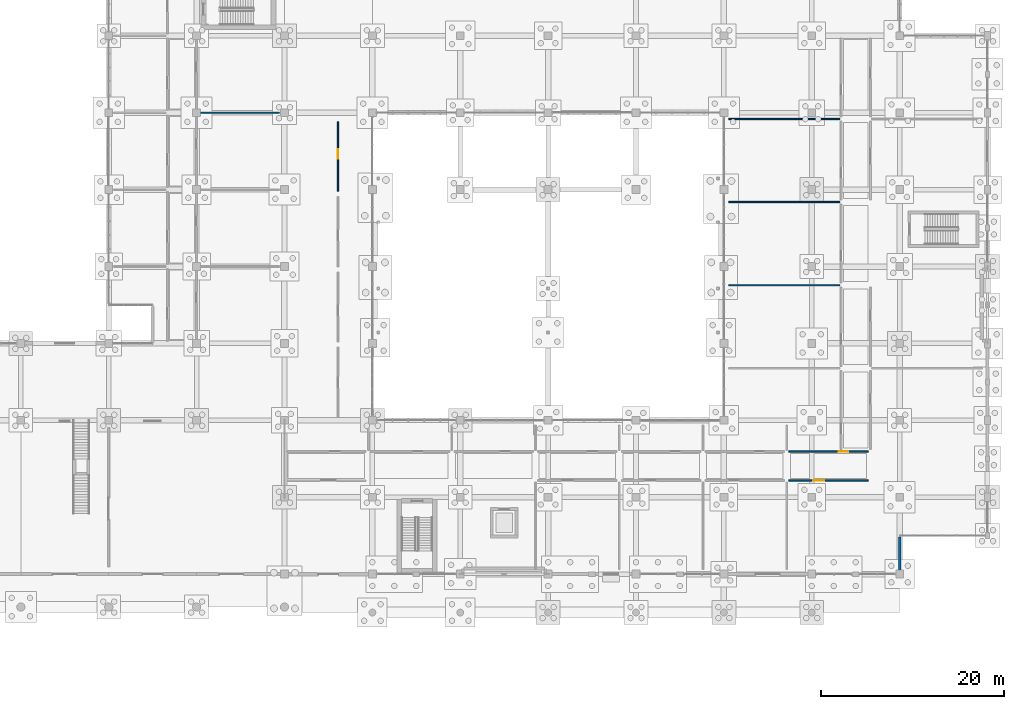
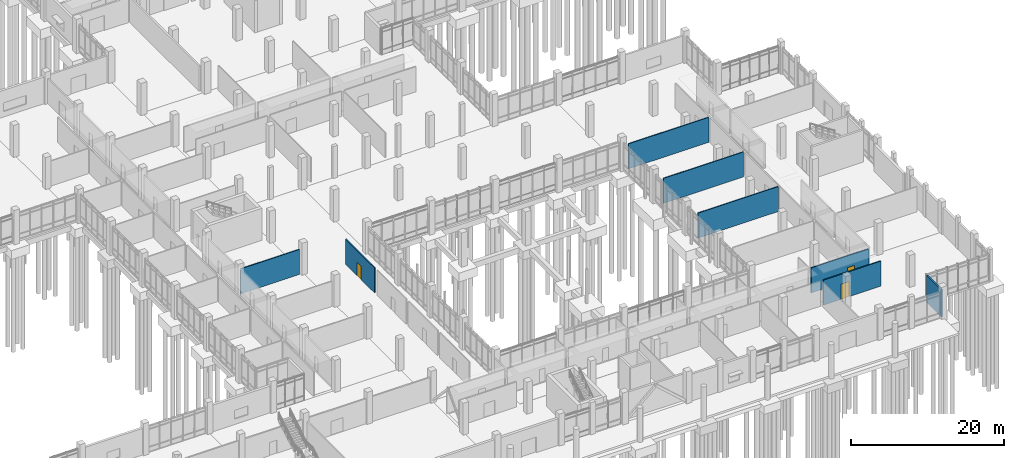
# One storey, part 113 of 136: 8 walls, 3 doors, 3 openings.
"""IFC4 building model written with IfcOpenShell, lengths in metres."""

from ifc_helpers import new_model, si_unit, direction, frame, frame_2d, origin, place, context, subcontext, project, spatial, rectangle, extrude, material, layer, layer_set, type_object, element, fill, save


model = new_model("IFC4")

# Units and contexts
model_context = context("Model", 3, precision=1e-05, world=origin(), true_north=direction((0.0, 1.0)))
body_context = subcontext(model_context, "Body", "Model", "MODEL_VIEW")
ifc_project = project(units=[si_unit("LENGTHUNIT", "METRE"), si_unit("AREAUNIT", "SQUARE_METRE"), si_unit("VOLUMEUNIT", "CUBIC_METRE"), si_unit("PLANEANGLEUNIT", "RADIAN"), si_unit("MASSUNIT", "GRAM", prefix="KILO")], contexts=[model_context])

# Site, building, storey
site_placement = place(None, origin())
site = spatial("IfcSite", under=ifc_project, at=site_placement, CompositionType="ELEMENT")
building_placement = place(site_placement, origin())
building = spatial("IfcBuilding", under=site, at=building_placement, Name="Oolite Switchyard Hospital", CompositionType="ELEMENT")
storey_placement = place(building_placement, origin())
storey = spatial("IfcBuildingStorey", under=building, at=storey_placement, Name="L00", CompositionType="ELEMENT", Elevation=0.0)

# Walls
ifc_material_1 = material(Name="Precast oolitic limestone architectural concrete C40/50", Category="masonry")
ifc_layer_1 = layer(ifc_material_1, 0.260009765625)
ifc_layer_set_1 = layer_set([ifc_layer_1], Name="WAL-EXT-260")
wall_type_1 = type_object("IfcWallType", Name="WAL-EXT-260", PredefinedType="SOLIDWALL", material=ifc_layer_set_1)
wall_1_placement = place(storey_placement, frame((201.60009765625, 12.43994140625, 0.0), z_axis=(0.0, 0.0, 1.0), x_axis=(0.0, -1.0, 0.0)))
element("IfcWall", 1, at=wall_1_placement, inside=storey, type_object=wall_type_1, Name="L00 Exterior Spandrel Wall 63", PredefinedType="SOLIDWALL", context=body_context, shape_type="SweptSolid", body=[
    extrude(rectangle(XDim=3.8798828125, YDim=0.260009765625, at=frame_2d((1.93994140625, 0.0))), origin(), (0.0, 0.0, 1.0), 4.239990234375),
])
ifc_material_2 = material(Name="Moisture-resistant gypsum board on steel studs", Category="steel")
ifc_layer_2 = layer(ifc_material_2, 0.135009765625)
ifc_layer_set_2 = layer_set([ifc_layer_2], Name="WAL-PART-135")
wall_type_2 = type_object("IfcWallType", Name="WAL-PART-135", PredefinedType="PARTITIONING", material=ifc_layer_set_2)
wall_2_placement = place(storey_placement, frame((124.949951171875, 58.800048828125, 0.0), z_axis=(0.0, 0.0, 1.0), x_axis=(1.0, 0.0, 0.0)))
element("IfcWall", 2, at=wall_2_placement, inside=storey, type_object=wall_type_2, Name="L00 Interior Partition 64", PredefinedType="PARTITIONING", context=body_context, shape_type="SweptSolid", body=[
    extrude(rectangle(XDim=8.900146484375, YDim=0.135009765625, at=frame_2d((4.4501953125, 0.0))), origin(), (0.0, 0.0, 1.0), 3.97998046875),
])
for number, where, z_axis, x_axis, name in (
    (3, (182.949951171875, 39.9599609375, 0.0), (0.0, 0.0, 1.0), (1.0, 0.0, 0.0), "L00 Interior Partition 130"),
    (4, (182.949951171875, 49.0400390625, 0.0), (0.0, 0.0, 1.0), (1.0, 0.0, 0.0), "L00 Interior Partition 132"),
    (5, (182.949951171875, 58.1201171875, 0.0), (0.0, 0.0, 1.0), (1.0, 0.0, 0.0), "L00 Interior Partition 135"),
):
    element("IfcWall", number, at=place(storey_placement, frame(where, z_axis=z_axis, x_axis=x_axis)), inside=storey, type_object=wall_type_2, Name=name, PredefinedType="PARTITIONING", context=body_context, shape_type="SweptSolid", body=[
        extrude(rectangle(XDim=12.10009765625, YDim=0.135009765625, at=frame_2d((6.050048828125, 0.0))), origin(), (0.0, 0.0, 1.0), 3.97998046875),
    ])

# Wall, opening, door
ifc_layer_3 = layer(ifc_material_2, 0.14990234375)
ifc_layer_set_3 = layer_set([ifc_layer_3], Name="WAL-PART-150")
wall_type_3 = type_object("IfcWallType", Name="WAL-PART-150", PredefinedType="PARTITIONING", material=ifc_layer_set_3)
wall_3_placement = place(storey_placement, frame((140.25, 50.199951171875, 0.0), z_axis=(0.0, 0.0, 1.0), x_axis=(0.0, 1.0, 0.0)))
wall_3 = element("IfcWall", 6, at=wall_3_placement, inside=storey, type_object=wall_type_3, Name="L00 Interior Partition 972", PredefinedType="PARTITIONING", context=body_context, shape_type="SweptSolid", body=[
    extrude(rectangle(XDim=7.60009765625, YDim=0.14990234375, at=frame_2d((3.800048828125, 0.0))), origin(), (0.0, 0.0, 1.0), 3.97998046875),
])
opening_1_placement = place(wall_3_placement, frame((3.550048828125, 0.0, 0.0)))
opening_1 = element("IfcOpeningElement", 7, at=opening_1_placement, cuts=wall_3, Name="Opening D-0540", PredefinedType="OPENING", context=body_context, shape_type="SweptSolid", body=[
    extrude(rectangle(XDim=1.050048828125, YDim=2.10009765625, at=frame_2d((0.52490234375, 1.050048828125))), frame((0.0, 0.0849609375, 0.0), z_axis=(0.0, -1.0, 0.0), x_axis=(1.0, 0.0, 0.0)), (0.0, 0.0, 1.0), 0.169921875),
])
ifc_material_3 = material(Name="Solid-core antimicrobial hardwood leaf in steel frame", Category="steel")
door_type_1 = type_object("IfcDoorType", Name="DR-EXAM-105X210", OperationType="NOTDEFINED", PredefinedType="DOOR", material=ifc_material_3)
door_1_placement = place(opening_1_placement, origin())
door_1 = element("IfcDoor", 8, at=door_1_placement, inside=storey, type_object=door_type_1, Name="L00 Interior Door D-0540", OperationType="SINGLE_SWING_RIGHT", OverallHeight=2.10009765625, OverallWidth=1.050048828125, PredefinedType="DOOR", context=body_context, shape_type="SweptSolid", body=[
    extrude(rectangle(XDim=1.050048828125, YDim=2.10009765625, at=frame_2d((0.52490234375, 1.050048828125))), frame((0.0, 0.02490234375, 0.0), z_axis=(0.0, -1.0, 0.0), x_axis=(1.0, 0.0, 0.0)), (0.0, 0.0, 1.0), 0.050048828125),
])
fill(opening_1, door_1)

ifc_layer_4 = layer(ifc_material_2, 0.1650390625)
ifc_layer_set_4 = layer_set([ifc_layer_4], Name="WAL-PART-165")
wall_type_4 = type_object("IfcWallType", Name="WAL-PART-165", PredefinedType="PARTITIONING", material=ifc_layer_set_4)
wall_4_placement = place(storey_placement, frame((189.508056640625, 18.60009765625, 0.0), z_axis=(0.0, 0.0, 1.0), x_axis=(1.0, 0.0, 0.0)))
wall_4 = element("IfcWall", 9, at=wall_4_placement, inside=storey, type_object=wall_type_4, Name="L00 Interior Partition 119", PredefinedType="PARTITIONING", context=body_context, shape_type="SweptSolid", body=[
    extrude(rectangle(XDim=8.642822265625, YDim=0.1650390625, at=frame_2d((4.3212890625, 0.0))), origin(), (0.0, 0.0, 1.0), 3.97998046875),
])
opening_2_placement = place(wall_4_placement, frame((2.64990234375, 0.0, 0.0)))
opening_2 = element("IfcOpeningElement", 10, at=opening_2_placement, cuts=wall_4, Name="Opening D-0073", PredefinedType="OPENING", context=body_context, shape_type="SweptSolid", body=[
    extrude(rectangle(XDim=1.199951171875, YDim=2.39990234375, at=frame_2d((0.60009765625, 1.199951171875))), frame((0.0, 0.092529296875, 0.0), z_axis=(0.0, -1.0, 0.0), x_axis=(1.0, 0.0, 0.0)), (0.0, 0.0, 1.0), 0.18505859375),
])
ifc_material_4 = material(Name="Hollow metal fire-rated steel door assembly", Category="steel")
door_type_2 = type_object("IfcDoorType", Name="DR-PHARM-120X240", OperationType="NOTDEFINED", PredefinedType="DOOR", material=ifc_material_4)
door_2_placement = place(opening_2_placement, origin())
door_2 = element("IfcDoor", 11, at=door_2_placement, inside=storey, type_object=door_type_2, Name="L00 Interior Door D-0073", OperationType="SINGLE_SWING_LEFT", OverallHeight=2.39990234375, OverallWidth=1.199951171875, PredefinedType="DOOR", context=body_context, shape_type="SweptSolid", body=[
    extrude(rectangle(XDim=1.199951171875, YDim=2.39990234375, at=frame_2d((0.60009765625, 1.199951171875))), frame((0.0, 0.02490234375, 0.0), z_axis=(0.0, -1.0, 0.0), x_axis=(1.0, 0.0, 0.0)), (0.0, 0.0, 1.0), 0.050048828125),
])
fill(opening_2, door_2)

wall_5_placement = place(storey_placement, frame((189.508056640625, 21.800048828125, 0.0), z_axis=(0.0, 0.0, 1.0), x_axis=(1.0, 0.0, 0.0)))
wall_5 = element("IfcWall", 12, at=wall_5_placement, inside=storey, type_object=wall_type_4, Name="L00 Interior Partition 121", PredefinedType="PARTITIONING", context=body_context, shape_type="SweptSolid", body=[
    extrude(rectangle(XDim=8.642822265625, YDim=0.1650390625, at=frame_2d((4.3212890625, 0.0))), origin(), (0.0, 0.0, 1.0), 3.97998046875),
])
opening_3_placement = place(wall_5_placement, frame((5.449951171875, 0.0, 0.0)))
opening_3 = element("IfcOpeningElement", 13, at=opening_3_placement, cuts=wall_5, Name="Opening D-0074", PredefinedType="OPENING", context=body_context, shape_type="SweptSolid", body=[
    extrude(rectangle(XDim=1.050048828125, YDim=2.10009765625, at=frame_2d((0.52490234375, 1.050048828125))), frame((0.0, 0.092529296875, 0.0), z_axis=(0.0, -1.0, 0.0), x_axis=(1.0, 0.0, 0.0)), (0.0, 0.0, 1.0), 0.18505859375),
])
door_3_placement = place(opening_3_placement, origin())
door_3 = element("IfcDoor", 14, at=door_3_placement, inside=storey, type_object=door_type_1, Name="L00 Interior Door D-0074", OperationType="SINGLE_SWING_RIGHT", OverallHeight=2.10009765625, OverallWidth=1.050048828125, PredefinedType="DOOR", context=body_context, shape_type="SweptSolid", body=[
    extrude(rectangle(XDim=1.050048828125, YDim=2.10009765625, at=frame_2d((0.52490234375, 1.050048828125))), frame((0.0, 0.02490234375, 0.0), z_axis=(0.0, -1.0, 0.0), x_axis=(1.0, 0.0, 0.0)), (0.0, 0.0, 1.0), 0.050048828125),
])
fill(opening_3, door_3)

save(model, "model.ifc")
